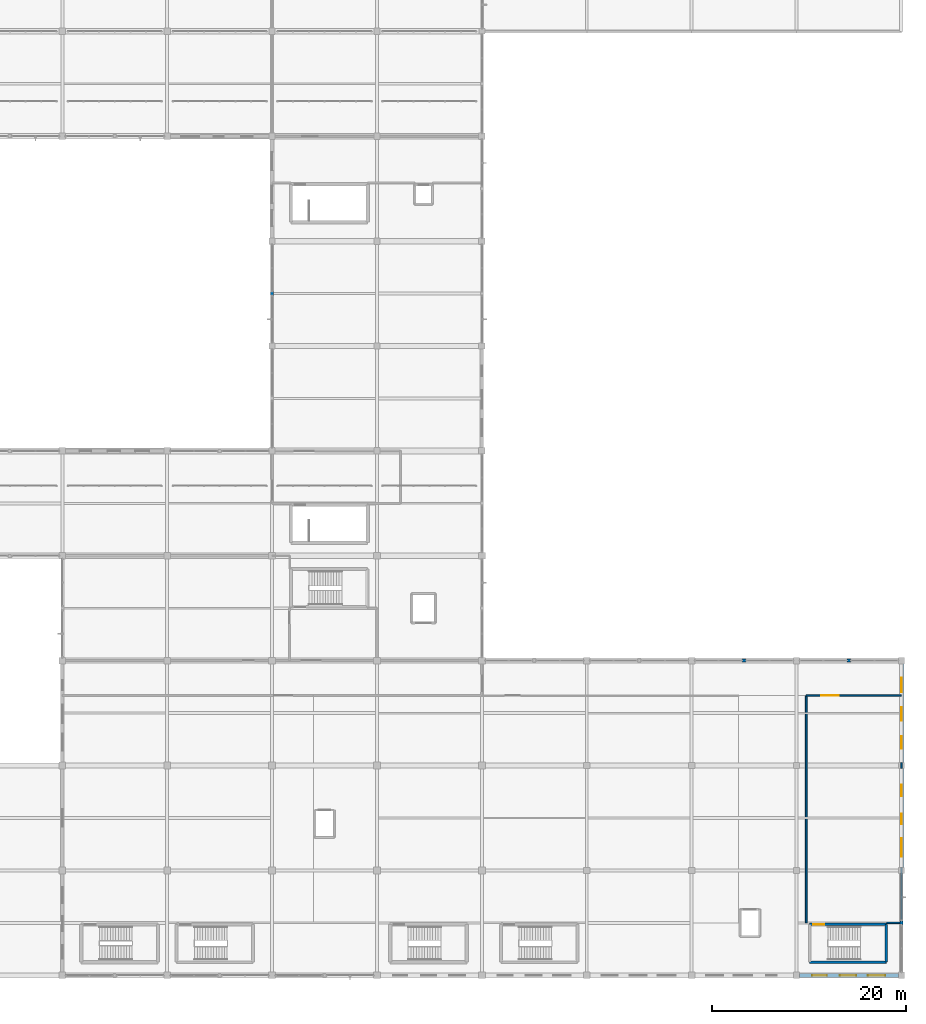
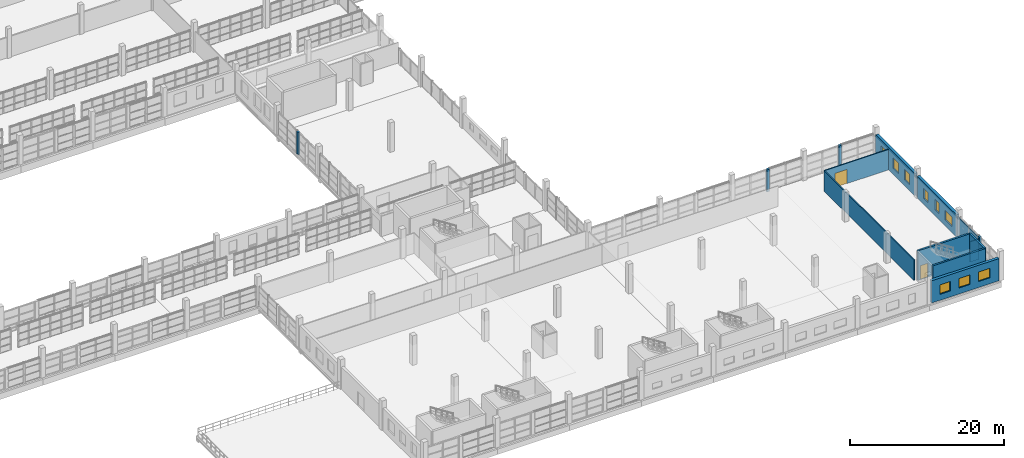
# One storey, part 113 of 142: 15 walls, 9 windows, 2 doors, 11 openings.
"""IFC4 building model written with IfcOpenShell, lengths in metres."""

from ifc_helpers import new_model, si_unit, direction, frame, frame_2d, origin, place, context, subcontext, project, spatial, rectangle, extrude, material, layer, layer_set, type_object, element, fill, save


model = new_model("IFC4")

# Units and contexts
model_context = context("Model", 3, precision=1e-05, world=origin(), true_north=direction((0.0, 1.0)))
body_context = subcontext(model_context, "Body", "Model", "MODEL_VIEW")
ifc_project = project(units=[si_unit("LENGTHUNIT", "METRE"), si_unit("AREAUNIT", "SQUARE_METRE"), si_unit("VOLUMEUNIT", "CUBIC_METRE"), si_unit("PLANEANGLEUNIT", "RADIAN"), si_unit("MASSUNIT", "GRAM", prefix="KILO")], contexts=[model_context])

# Site, building, storey
site_placement = place(None, origin())
site = spatial("IfcSite", under=ifc_project, at=site_placement, CompositionType="ELEMENT")
building_placement = place(site_placement, origin())
building = spatial("IfcBuilding", under=site, at=building_placement, Name="Zwinboog Wholesale Market", CompositionType="ELEMENT")
storey_placement = place(building_placement, frame((0.0, 0.0, 5.39990234375)))
storey = spatial("IfcBuildingStorey", under=building, at=storey_placement, Name="L01", CompositionType="ELEMENT", Elevation=5.39990234375)

# Wall, openings, windows
ifc_material_1 = material(Name="Precast concrete C45/55", Category="concrete")
ifc_layer_1 = layer(ifc_material_1, 0.409912109375)
ifc_layer_set_1 = layer_set([ifc_layer_1], Name="Precast concrete C45/55")
wall_type_1 = type_object("IfcWallType", Name="WT-EW-410", PredefinedType="STANDARD", material=ifc_layer_set_1)
wall_1_placement = place(storey_placement, frame((205.52001953125, 0.0, 0.0), z_axis=(0.0, 0.0, 1.0), x_axis=(1.0, 0.0, 0.0)))
wall_1 = element("IfcWall", 1, at=wall_1_placement, inside=storey, type_object=wall_type_1, Name="EW-03 (WL-EW-L01-182)", PredefinedType="STANDARD", context=body_context, shape_type="SweptSolid", body=[
    extrude(rectangle(XDim=10.159912109375, YDim=0.409912109375, at=frame_2d((5.080078125, 0.0))), origin(), (0.0, 0.0, 1.0), 3.530029296875),
])
opening_1_placement = place(wall_1_placement, frame((1.284912109375, 0.0, 0.949951171875)))
opening_1 = element("IfcOpeningElement", 2, at=opening_1_placement, cuts=wall_1, Name="Opening WN-37", PredefinedType="OPENING", context=body_context, shape_type="SweptSolid", body=[
    extrude(rectangle(XDim=1.530029296875, YDim=1.5, at=frame_2d((0.76513671875, 0.75))), frame((0.0, 0.21484375, 0.0), z_axis=(0.0, -1.0, 0.0), x_axis=(1.0, 0.0, 0.0)), (0.0, 0.0, 1.0), 0.429931640625),
])
opening_2_placement = place(wall_1_placement, frame((4.155029296875, 0.0, 0.949951171875)))
opening_2 = element("IfcOpeningElement", 3, at=opening_2_placement, cuts=wall_1, Name="Opening WN-38", PredefinedType="OPENING", context=body_context, shape_type="SweptSolid", body=[
    extrude(rectangle(XDim=1.64990234375, YDim=1.5, at=frame_2d((0.824951171875, 0.75))), frame((0.0, 0.21484375, 0.0), z_axis=(0.0, -1.0, 0.0), x_axis=(1.0, 0.0, 0.0)), (0.0, 0.0, 1.0), 0.429931640625),
])
opening_3_placement = place(wall_1_placement, frame((7.02490234375, 0.0, 0.949951171875)))
opening_3 = element("IfcOpeningElement", 4, at=opening_3_placement, cuts=wall_1, Name="Opening WN-39", PredefinedType="OPENING", context=body_context, shape_type="SweptSolid", body=[
    extrude(rectangle(XDim=1.77001953125, YDim=1.5, at=frame_2d((0.885009765625, 0.75))), frame((0.0, 0.21484375, 0.0), z_axis=(0.0, -1.0, 0.0), x_axis=(1.0, 0.0, 0.0)), (0.0, 0.0, 1.0), 0.429931640625),
])
ifc_material_2 = material(Name="Thermally broken aluminium low-e window", Category="aluminium")
window_type_1 = type_object("IfcWindowType", Name="WNT-37", PartitioningType="SINGLE_PANEL", PredefinedType="WINDOW", material=ifc_material_2)
window_1_placement = place(opening_1_placement, frame((1.530029296875, 0.0, 0.0), z_axis=(0.0, 0.0, 1.0), x_axis=(-1.0, 0.0, 0.0)))
window_1 = element("IfcWindow", 5, at=window_1_placement, inside=storey, type_object=window_type_1, Name="WN-37 (WIN-L01-0181)", OverallHeight=1.5, OverallWidth=1.530029296875, PartitioningType="SINGLE_PANEL", PredefinedType="WINDOW", context=body_context, shape_type="SweptSolid", body=[
    extrude(rectangle(XDim=1.530029296875, YDim=1.5, at=frame_2d((0.76513671875, 0.75))), frame((0.0, 0.030029296875, 0.0), z_axis=(0.0, -1.0, 0.0), x_axis=(1.0, 0.0, 0.0)), (0.0, 0.0, 1.0), 0.06005859375),
])
fill(opening_1, window_1)
window_type_2 = type_object("IfcWindowType", Name="WNT-38", PartitioningType="SINGLE_PANEL", PredefinedType="WINDOW", material=ifc_material_2)
window_2_placement = place(opening_2_placement, frame((1.64990234375, 0.0, 0.0), z_axis=(0.0, 0.0, 1.0), x_axis=(-1.0, 0.0, 0.0)))
window_2 = element("IfcWindow", 6, at=window_2_placement, inside=storey, type_object=window_type_2, Name="WN-38 (WIN-L01-0182)", OverallHeight=1.5, OverallWidth=1.64990234375, PartitioningType="SINGLE_PANEL", PredefinedType="WINDOW", context=body_context, shape_type="SweptSolid", body=[
    extrude(rectangle(XDim=1.64990234375, YDim=1.5, at=frame_2d((0.824951171875, 0.75))), frame((0.0, 0.030029296875, 0.0), z_axis=(0.0, -1.0, 0.0), x_axis=(1.0, 0.0, 0.0)), (0.0, 0.0, 1.0), 0.06005859375),
])
fill(opening_2, window_2)
window_type_3 = type_object("IfcWindowType", Name="WNT-39", PartitioningType="SINGLE_PANEL", PredefinedType="WINDOW", material=ifc_material_2)
window_3_placement = place(opening_3_placement, frame((1.77001953125, 0.0, 0.0), z_axis=(0.0, 0.0, 1.0), x_axis=(-1.0, 0.0, 0.0)))
window_3 = element("IfcWindow", 7, at=window_3_placement, inside=storey, type_object=window_type_3, Name="WN-39 (WIN-L01-0183)", OverallHeight=1.5, OverallWidth=1.77001953125, PartitioningType="SINGLE_PANEL", PredefinedType="WINDOW", context=body_context, shape_type="SweptSolid", body=[
    extrude(rectangle(XDim=1.77001953125, YDim=1.5, at=frame_2d((0.885009765625, 0.75))), frame((0.0, 0.030029296875, 0.0), z_axis=(0.0, -1.0, 0.0), x_axis=(1.0, 0.0, 0.0)), (0.0, 0.0, 1.0), 0.06005859375),
])
fill(opening_3, window_3)

wall_2_placement = place(storey_placement, frame((216.0, 11.1201171875, 0.0), z_axis=(0.0, 0.0, 1.0), x_axis=(0.0, 1.0, 0.0)))
wall_2 = element("IfcWall", 8, at=wall_2_placement, inside=storey, type_object=wall_type_1, Name="EW-03 (WL-EW-L01-184)", PredefinedType="STANDARD", context=body_context, shape_type="SweptSolid", body=[
    extrude(rectangle(XDim=10.159912109375, YDim=0.409912109375, at=frame_2d((5.080078125, 0.0))), origin(), (0.0, 0.0, 1.0), 3.530029296875),
])
opening_4_placement = place(wall_2_placement, frame((1.10498046875, 0.0, 0.949951171875)))
opening_4 = element("IfcOpeningElement", 9, at=opening_4_placement, cuts=wall_2, Name="Opening WN-40", PredefinedType="OPENING", context=body_context, shape_type="SweptSolid", body=[
    extrude(rectangle(XDim=1.889892578125, YDim=1.5, at=frame_2d((0.94482421875, 0.75))), frame((0.0, 0.21484375, 0.0), z_axis=(0.0, -1.0, 0.0), x_axis=(1.0, 0.0, 0.0)), (0.0, 0.0, 1.0), 0.429931640625),
])
opening_5_placement = place(wall_2_placement, frame((4.455078125, 0.0, 0.949951171875)))
opening_5 = element("IfcOpeningElement", 10, at=opening_5_placement, cuts=wall_2, Name="Opening WN-41", PredefinedType="OPENING", context=body_context, shape_type="SweptSolid", body=[
    extrude(rectangle(XDim=1.050048828125, YDim=1.64990234375, at=frame_2d((0.52490234375, 0.824951171875))), frame((0.0, 0.21484375, 0.0), z_axis=(0.0, -1.0, 0.0), x_axis=(1.0, 0.0, 0.0)), (0.0, 0.0, 1.0), 0.429931640625),
])
opening_6_placement = place(wall_2_placement, frame((7.324951171875, 0.0, 0.949951171875)))
opening_6 = element("IfcOpeningElement", 11, at=opening_6_placement, cuts=wall_2, Name="Opening WN-42", PredefinedType="OPENING", context=body_context, shape_type="SweptSolid", body=[
    extrude(rectangle(XDim=1.169921875, YDim=1.64990234375, at=frame_2d((0.5849609375, 0.824951171875))), frame((0.0, 0.21484375, 0.0), z_axis=(0.0, -1.0, 0.0), x_axis=(1.0, 0.0, 0.0)), (0.0, 0.0, 1.0), 0.429931640625),
])
window_type_4 = type_object("IfcWindowType", Name="WNT-40", PartitioningType="SINGLE_PANEL", PredefinedType="WINDOW", material=ifc_material_2)
window_4_placement = place(opening_4_placement, frame((1.889892578125, 0.0, 0.0), z_axis=(0.0, 0.0, 1.0), x_axis=(-1.0, 0.0, 0.0)))
window_4 = element("IfcWindow", 12, at=window_4_placement, inside=storey, type_object=window_type_4, Name="WN-40 (WIN-L01-0184)", OverallHeight=1.5, OverallWidth=1.889892578125, PartitioningType="SINGLE_PANEL", PredefinedType="WINDOW", context=body_context, shape_type="SweptSolid", body=[
    extrude(rectangle(XDim=1.889892578125, YDim=1.5, at=frame_2d((0.94482421875, 0.75))), frame((0.0, 0.030029296875, 0.0), z_axis=(0.0, -1.0, 0.0), x_axis=(1.0, 0.0, 0.0)), (0.0, 0.0, 1.0), 0.06005859375),
])
fill(opening_4, window_4)
window_type_5 = type_object("IfcWindowType", Name="WNT-41", PartitioningType="SINGLE_PANEL", PredefinedType="WINDOW", material=ifc_material_2)
window_5_placement = place(opening_5_placement, frame((1.050048828125, 0.0, 0.0), z_axis=(0.0, 0.0, 1.0), x_axis=(-1.0, 0.0, 0.0)))
window_5 = element("IfcWindow", 13, at=window_5_placement, inside=storey, type_object=window_type_5, Name="WN-41 (WIN-L01-0185)", OverallHeight=1.64990234375, OverallWidth=1.050048828125, PartitioningType="SINGLE_PANEL", PredefinedType="WINDOW", context=body_context, shape_type="SweptSolid", body=[
    extrude(rectangle(XDim=1.050048828125, YDim=1.64990234375, at=frame_2d((0.52490234375, 0.824951171875))), frame((0.0, 0.030029296875, 0.0), z_axis=(0.0, -1.0, 0.0), x_axis=(1.0, 0.0, 0.0)), (0.0, 0.0, 1.0), 0.06005859375),
])
fill(opening_5, window_5)
window_type_6 = type_object("IfcWindowType", Name="WNT-42", PartitioningType="SINGLE_PANEL", PredefinedType="WINDOW", material=ifc_material_2)
window_6_placement = place(opening_6_placement, frame((1.169921875, 0.0, 0.0), z_axis=(0.0, 0.0, 1.0), x_axis=(-1.0, 0.0, 0.0)))
window_6 = element("IfcWindow", 14, at=window_6_placement, inside=storey, type_object=window_type_6, Name="WN-42 (WIN-L01-0186)", OverallHeight=1.64990234375, OverallWidth=1.169921875, PartitioningType="SINGLE_PANEL", PredefinedType="WINDOW", context=body_context, shape_type="SweptSolid", body=[
    extrude(rectangle(XDim=1.169921875, YDim=1.64990234375, at=frame_2d((0.5849609375, 0.824951171875))), frame((0.0, 0.030029296875, 0.0), z_axis=(0.0, -1.0, 0.0), x_axis=(1.0, 0.0, 0.0)), (0.0, 0.0, 1.0), 0.06005859375),
])
fill(opening_6, window_6)

wall_3_placement = place(storey_placement, frame((216.0, 21.919921875, 0.0), z_axis=(0.0, 0.0, 1.0), x_axis=(0.0, 1.0, 0.0)))
wall_3 = element("IfcWall", 15, at=wall_3_placement, inside=storey, type_object=wall_type_1, Name="EW-03 (WL-EW-L01-186)", PredefinedType="STANDARD", context=body_context, shape_type="SweptSolid", body=[
    extrude(rectangle(XDim=10.16015625, YDim=0.409912109375, at=frame_2d((5.080078125, 0.0))), origin(), (0.0, 0.0, 1.0), 3.530029296875),
])
opening_7_placement = place(wall_3_placement, frame((1.405029296875, 0.0, 0.949951171875)))
opening_7 = element("IfcOpeningElement", 16, at=opening_7_placement, cuts=wall_3, Name="Opening WN-43", PredefinedType="OPENING", context=body_context, shape_type="SweptSolid", body=[
    extrude(rectangle(XDim=1.2900390625, YDim=1.64990234375, at=frame_2d((0.64501953125, 0.824951171875))), frame((0.0, 0.21484375, 0.0), z_axis=(0.0, -1.0, 0.0), x_axis=(1.0, 0.0, 0.0)), (0.0, 0.0, 1.0), 0.429931640625),
])
opening_8_placement = place(wall_3_placement, frame((4.27490234375, 0.0, 0.949951171875)))
opening_8 = element("IfcOpeningElement", 17, at=opening_8_placement, cuts=wall_3, Name="Opening WN-44", PredefinedType="OPENING", context=body_context, shape_type="SweptSolid", body=[
    extrude(rectangle(XDim=1.409912109375, YDim=1.64990234375, at=frame_2d((0.705078125, 0.824951171875))), frame((0.0, 0.21484375, 0.0), z_axis=(0.0, -1.0, 0.0), x_axis=(1.0, 0.0, 0.0)), (0.0, 0.0, 1.0), 0.429931640625),
])
opening_9_placement = place(wall_3_placement, frame((7.2041015625, 0.0, 0.949951171875)))
opening_9 = element("IfcOpeningElement", 18, at=opening_9_placement, cuts=wall_3, Name="Opening WN-45", PredefinedType="OPENING", context=body_context, shape_type="SweptSolid", body=[
    extrude(rectangle(XDim=1.530029296875, YDim=1.64990234375, at=frame_2d((0.76513671875, 0.824951171875))), frame((0.0, 0.21484375, 0.0), z_axis=(0.0, -1.0, 0.0), x_axis=(1.0, 0.0, 0.0)), (0.0, 0.0, 1.0), 0.429931640625),
])
window_type_7 = type_object("IfcWindowType", Name="WNT-43", PartitioningType="SINGLE_PANEL", PredefinedType="WINDOW", material=ifc_material_2)
window_7_placement = place(opening_7_placement, frame((1.2900390625, 0.0, 0.0), z_axis=(0.0, 0.0, 1.0), x_axis=(-1.0, 0.0, 0.0)))
window_7 = element("IfcWindow", 19, at=window_7_placement, inside=storey, type_object=window_type_7, Name="WN-43 (WIN-L01-0187)", OverallHeight=1.64990234375, OverallWidth=1.2900390625, PartitioningType="SINGLE_PANEL", PredefinedType="WINDOW", context=body_context, shape_type="SweptSolid", body=[
    extrude(rectangle(XDim=1.2900390625, YDim=1.64990234375, at=frame_2d((0.64501953125, 0.824951171875))), frame((0.0, 0.030029296875, 0.0), z_axis=(0.0, -1.0, 0.0), x_axis=(1.0, 0.0, 0.0)), (0.0, 0.0, 1.0), 0.06005859375),
])
fill(opening_7, window_7)
window_type_8 = type_object("IfcWindowType", Name="WNT-44", PartitioningType="SINGLE_PANEL", PredefinedType="WINDOW", material=ifc_material_2)
window_8_placement = place(opening_8_placement, frame((1.409912109375, 0.0, 0.0), z_axis=(0.0, 0.0, 1.0), x_axis=(-1.0, 0.0, 0.0)))
window_8 = element("IfcWindow", 20, at=window_8_placement, inside=storey, type_object=window_type_8, Name="WN-44 (WIN-L01-0188)", OverallHeight=1.64990234375, OverallWidth=1.409912109375, PartitioningType="SINGLE_PANEL", PredefinedType="WINDOW", context=body_context, shape_type="SweptSolid", body=[
    extrude(rectangle(XDim=1.409912109375, YDim=1.64990234375, at=frame_2d((0.705078125, 0.824951171875))), frame((0.0, 0.030029296875, 0.0), z_axis=(0.0, -1.0, 0.0), x_axis=(1.0, 0.0, 0.0)), (0.0, 0.0, 1.0), 0.06005859375),
])
fill(opening_8, window_8)
window_type_9 = type_object("IfcWindowType", Name="WNT-45", PartitioningType="SINGLE_PANEL", PredefinedType="WINDOW", material=ifc_material_2)
window_9_placement = place(opening_9_placement, frame((1.530029296875, 0.0, 0.0), z_axis=(0.0, 0.0, 1.0), x_axis=(-1.0, 0.0, 0.0)))
window_9 = element("IfcWindow", 21, at=window_9_placement, inside=storey, type_object=window_type_9, Name="WN-45 (WIN-L01-0189)", OverallHeight=1.64990234375, OverallWidth=1.530029296875, PartitioningType="SINGLE_PANEL", PredefinedType="WINDOW", context=body_context, shape_type="SweptSolid", body=[
    extrude(rectangle(XDim=1.530029296875, YDim=1.64990234375, at=frame_2d((0.76513671875, 0.824951171875))), frame((0.0, 0.030029296875, 0.0), z_axis=(0.0, -1.0, 0.0), x_axis=(1.0, 0.0, 0.0)), (0.0, 0.0, 1.0), 0.06005859375),
])
fill(opening_9, window_9)

# Walls
ifc_layer_2 = layer(ifc_material_1, 0.304931640625)
ifc_layer_set_2 = layer_set([ifc_layer_2], Name="Precast concrete C45/55")
wall_type_2 = type_object("IfcWallType", Name="WT-EW-305", PredefinedType="STANDARD", material=ifc_layer_set_2)
for number, where, z_axis, x_axis, name in (
    (22, (151.199951171875, 70.0, 0.0), (0.0, 0.0, 1.0), (0.0, 1.0, 0.0), "EW-07 (WL-PIER-L01-158)"),
    (23, (199.60009765625, 32.39990234375, 0.0), (0.0, 0.0, 1.0), (1.0, 0.0, 0.0), "EW-07 (WL-PIER-L01-179)"),
):
    element("IfcWall", number, at=place(storey_placement, frame(where, z_axis=z_axis, x_axis=x_axis)), inside=storey, type_object=wall_type_2, Name=name, PredefinedType="STANDARD", context=body_context, shape_type="SweptSolid", body=[
        extrude(rectangle(XDim=0.39990234375, YDim=0.304931640625, at=frame_2d((0.199951171875, 0.0))), origin(), (0.0, 0.0, 1.0), 3.530029296875),
    ])
for number, where, z_axis, x_axis, name in (
    (24, (216.0, 5.199951171875, 0.0), (0.0, 0.0, 1.0), (0.0, 1.0, 0.0), "EW-07 (WL-PIER-L01-183)"),
    (25, (210.39990234375, 32.39990234375, 0.0), (0.0, 0.0, 1.0), (1.0, 0.0, 0.0), "EW-07 (WL-PIER-L01-185)"),
):
    element("IfcWall", number, at=place(storey_placement, frame(where, z_axis=z_axis, x_axis=x_axis)), inside=storey, type_object=wall_type_2, Name=name, PredefinedType="STANDARD", context=body_context, shape_type="SweptSolid", body=[
        extrude(rectangle(XDim=0.400146484375, YDim=0.304931640625, at=frame_2d((0.2001953125, 0.0))), origin(), (0.0, 0.0, 1.0), 3.530029296875),
    ])
ifc_material_3 = material(Name="Concrete C40/50", Category="concrete")
ifc_layer_3 = layer(ifc_material_3, 0.280029296875)
ifc_layer_set_3 = layer_set([ifc_layer_3], Name="Concrete C40/50")
wall_type_3 = type_object("IfcWallType", Name="WT-SW-280", PredefinedType="SHEAR", material=ifc_layer_set_3)
wall_4_placement = place(storey_placement, frame((206.550048828125, 1.35009765625, 0.0), z_axis=(0.0, 0.0, 1.0), x_axis=(1.0, 0.0, 0.0)))
element("IfcWall", 26, at=wall_4_placement, inside=storey, type_object=wall_type_3, Name="SW-01 (WL-SW-L01-061)", PredefinedType="SHEAR", context=body_context, shape_type="SweptSolid", body=[
    extrude(rectangle(XDim=7.89990234375, YDim=0.280029296875, at=frame_2d((3.949951171875, 0.0))), origin(), (0.0, 0.0, 1.0), 4.68017578125),
])

# Wall, opening, door
wall_5_placement = place(storey_placement, frame((206.550048828125, 5.25, 0.0), z_axis=(0.0, 0.0, 1.0), x_axis=(1.0, 0.0, 0.0)))
wall_5 = element("IfcWall", 27, at=wall_5_placement, inside=storey, type_object=wall_type_3, Name="SW-01 (WL-SW-L01-062)", PredefinedType="SHEAR", context=body_context, shape_type="SweptSolid", body=[
    extrude(rectangle(XDim=7.89990234375, YDim=0.280029296875, at=frame_2d((3.949951171875, 0.0))), origin(), (0.0, 0.0, 1.0), 4.68017578125),
])
opening_10_placement = place(wall_5_placement, frame((0.3798828125, 0.0, 0.0)))
opening_10 = element("IfcOpeningElement", 28, at=opening_10_placement, cuts=wall_5, Name="Opening FD-0016", PredefinedType="OPENING", context=body_context, shape_type="SweptSolid", body=[
    extrude(rectangle(XDim=1.10009765625, YDim=2.199951171875, at=frame_2d((0.550048828125, 1.10009765625))), frame((0.0, 0.14990234375, 0.0), z_axis=(0.0, -1.0, 0.0), x_axis=(1.0, 0.0, 0.0)), (0.0, 0.0, 1.0), 0.300048828125),
])
ifc_material_4 = material(Name="Timber and powder-coated steel door leaf", Category="steel")
door_type_1 = type_object("IfcDoorType", Name="IDT-FD-02", OperationType="NOTDEFINED", PredefinedType="DOOR", material=ifc_material_4)
door_1_placement = place(opening_10_placement, origin())
door_1 = element("IfcDoor", 29, at=door_1_placement, inside=storey, type_object=door_type_1, Name="Core Fire Door FD-0016", OperationType="SINGLE_SWING_LEFT", OverallHeight=2.199951171875, OverallWidth=1.10009765625, PredefinedType="DOOR", context=body_context, shape_type="SweptSolid", body=[
    extrude(rectangle(XDim=1.10009765625, YDim=2.199951171875, at=frame_2d((0.550048828125, 1.10009765625))), frame((0.0, 0.02490234375, 0.0), z_axis=(0.0, -1.0, 0.0), x_axis=(1.0, 0.0, 0.0)), (0.0, 0.0, 1.0), 0.050048828125),
])
fill(opening_10, door_1)

# Walls
wall_6_placement = place(storey_placement, frame((214.449951171875, 1.35009765625, 0.0), z_axis=(0.0, 0.0, 1.0), x_axis=(0.0, 1.0, 0.0)))
element("IfcWall", 30, at=wall_6_placement, inside=storey, type_object=wall_type_3, Name="SW-01 (WL-SW-L01-064)", PredefinedType="SHEAR", context=body_context, shape_type="SweptSolid", body=[
    extrude(rectangle(XDim=3.89990234375, YDim=0.280029296875, at=frame_2d((1.949951171875, 0.0))), origin(), (0.0, 0.0, 1.0), 4.68017578125),
])
ifc_material_5 = material(Name="Fire-rated corridor stud partition")
ifc_layer_4 = layer(ifc_material_5, 0.154052734375)
ifc_layer_set_4 = layer_set([ifc_layer_4], Name="Fire-rated corridor stud partition")
wall_type_4 = type_object("IfcWallType", Name="WT-PT-154", PredefinedType="PARTITIONING", material=ifc_layer_set_4)
wall_7_placement = place(storey_placement, frame((214.469970703125, 5.39990234375, 0.0), z_axis=(0.0, 0.0, 1.0), x_axis=(1.0, 0.0, 0.0)))
element("IfcWall", 31, at=wall_7_placement, inside=storey, type_object=wall_type_4, Name="PW-04 (WL-IN-L01-0235)", PredefinedType="PARTITIONING", context=body_context, shape_type="SweptSolid", body=[
    extrude(rectangle(XDim=1.3974609375, YDim=0.154052734375, at=frame_2d((0.69873046875, 0.0))), origin(), (0.0, 0.0, 1.0), 3.22998046875),
])
wall_8_placement = place(storey_placement, frame((216.0, 5.75244140625, 0.0), z_axis=(0.0, 0.0, 1.0), x_axis=(0.0, 1.0, 0.0)))
element("IfcWall", 32, at=wall_8_placement, inside=storey, type_object=wall_type_4, Name="PW-04 (WL-IN-L01-0237)", PredefinedType="PARTITIONING", context=body_context, shape_type="SweptSolid", body=[
    extrude(rectangle(XDim=5.34765625, YDim=0.154052734375, at=frame_2d((2.673828125, 0.0))), origin(), (0.0, 0.0, 1.0), 3.22998046875),
])
wall_9_placement = place(storey_placement, frame((216.0, 21.300048828125, 0.0), z_axis=(0.0, 0.0, 1.0), x_axis=(0.0, 1.0, 0.0)))
element("IfcWall", 33, at=wall_9_placement, inside=storey, type_object=wall_type_4, Name="PW-04 (WL-IN-L01-0238)", PredefinedType="PARTITIONING", context=body_context, shape_type="SweptSolid", body=[
    extrude(rectangle(XDim=0.599853515625, YDim=0.154052734375, at=frame_2d((0.2998046875, 0.0))), origin(), (0.0, 0.0, 1.0), 3.22998046875),
])

# Wall, opening, door
ifc_material_6 = material(Name="Laboratory acoustic partition")
ifc_layer_5 = layer(ifc_material_6, 0.16796875)
ifc_layer_set_5 = layer_set([ifc_layer_5], Name="Laboratory acoustic partition")
wall_type_5 = type_object("IfcWallType", Name="WT-PT-168", PredefinedType="PARTITIONING", material=ifc_layer_set_5)
wall_10_placement = place(storey_placement, frame((206.199951171875, 28.800048828125, 0.0), z_axis=(0.0, 0.0, 1.0), x_axis=(1.0, 0.0, 0.0)))
wall_10 = element("IfcWall", 34, at=wall_10_placement, inside=storey, type_object=wall_type_5, Name="PW-05 (WL-IN-L01-0126)", PredefinedType="PARTITIONING", context=body_context, shape_type="SweptSolid", body=[
    extrude(rectangle(XDim=9.800048828125, YDim=0.16796875, at=frame_2d((4.89990234375, 0.0))), origin(), (0.0, 0.0, 1.0), 3.22998046875),
])
opening_11_placement = place(wall_10_placement, frame((1.5400390625, 0.0, 0.0)))
opening_11 = element("IfcOpeningElement", 35, at=opening_11_placement, cuts=wall_10, Name="Opening IDF-0057", PredefinedType="OPENING", context=body_context, shape_type="SweptSolid", body=[
    extrude(rectangle(XDim=1.820068359375, YDim=2.25, at=frame_2d((0.91015625, 1.125))), frame((0.0, 0.093994140625, 0.0), z_axis=(0.0, -1.0, 0.0), x_axis=(1.0, 0.0, 0.0)), (0.0, 0.0, 1.0), 0.18798828125),
])
door_type_2 = type_object("IfcDoorType", Name="IDT-FD-04", OperationType="DOUBLE_DOOR_SINGLE_SWING", PredefinedType="DOOR", material=ifc_material_4)
door_2_placement = place(opening_11_placement, frame((1.820068359375, 0.0, 0.0), z_axis=(0.0, 0.0, 1.0), x_axis=(-1.0, 0.0, 0.0)))
door_2 = element("IfcDoor", 36, at=door_2_placement, inside=storey, type_object=door_type_2, Name="Interior Door IDF-0057", OperationType="DOUBLE_DOOR_SINGLE_SWING", OverallHeight=2.25, OverallWidth=1.820068359375, PredefinedType="DOOR", context=body_context, shape_type="SweptSolid", body=[
    extrude(rectangle(XDim=1.820068359375, YDim=2.25, at=frame_2d((0.91015625, 1.125))), frame((0.0, 0.02490234375, 0.0), z_axis=(0.0, -1.0, 0.0), x_axis=(1.0, 0.0, 0.0)), (0.0, 0.0, 1.0), 0.050048828125),
])
fill(opening_11, door_2)

# Wall
wall_11_placement = place(storey_placement, frame((206.199951171875, 5.39990234375, 0.0), z_axis=(0.0, 0.0, 1.0), x_axis=(0.0, 1.0, 0.0)))
element("IfcWall", 37, at=wall_11_placement, inside=storey, type_object=wall_type_5, Name="PW-05 (WL-IN-L01-0236)", PredefinedType="PARTITIONING", context=body_context, shape_type="SweptSolid", body=[
    extrude(rectangle(XDim=23.400146484375, YDim=0.16796875, at=frame_2d((11.7001953125, 0.0))), origin(), (0.0, 0.0, 1.0), 3.22998046875),
])

save(model, "model.ifc")
